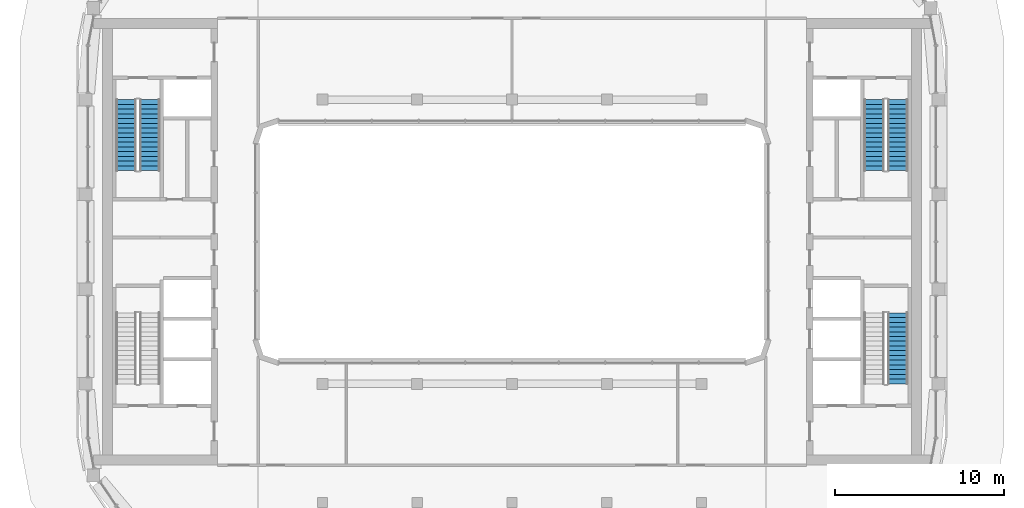
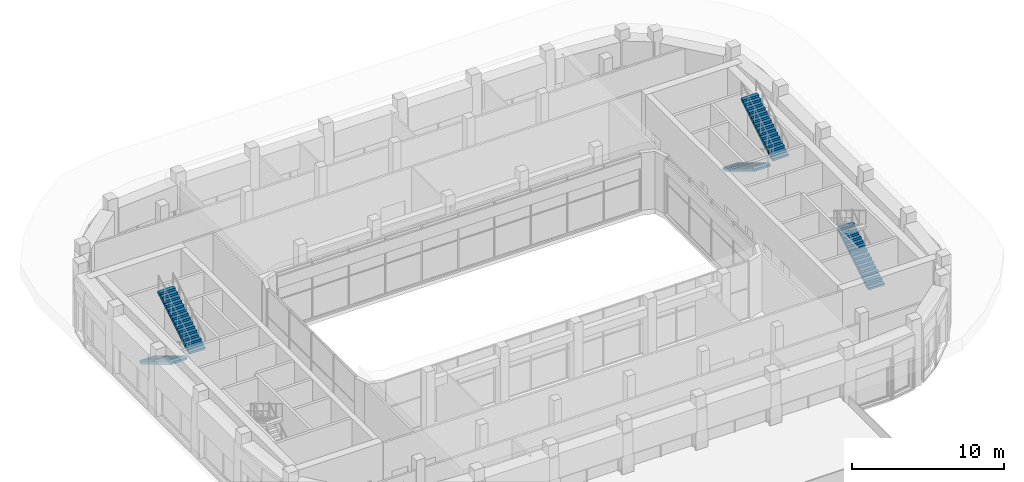
# One storey, part 16 of 23: 5 stair flights, 3 elements without a shape of their own.
"""IFC4 building model written with IfcOpenShell, lengths in metres."""

from ifc_helpers import new_model, si_unit, direction, frame, origin, place, context, subcontext, project, spatial, polyline, outline, extrude, material, type_object, element, aggregate, save


model = new_model("IFC4")

# Units and contexts
model_context = context("Model", 3, precision=1e-05, world=origin(), true_north=direction((0.0, 1.0)))
body_context = subcontext(model_context, "Body", "Model", "MODEL_VIEW")
ifc_project = project(units=[si_unit("LENGTHUNIT", "METRE"), si_unit("AREAUNIT", "SQUARE_METRE"), si_unit("VOLUMEUNIT", "CUBIC_METRE"), si_unit("PLANEANGLEUNIT", "RADIAN"), si_unit("MASSUNIT", "GRAM", prefix="KILO")], contexts=[model_context])

# Site, building, storey
site_placement = place(None, origin())
site = spatial("IfcSite", under=ifc_project, at=site_placement, CompositionType="ELEMENT")
building_placement = place(site_placement, origin())
building = spatial("IfcBuilding", under=site, at=building_placement, Name="Kiln Ring Residences", CompositionType="ELEMENT")
storey_placement = place(building_placement, frame((0.0, 0.0, 294.5)))
storey = spatial("IfcBuildingStorey", under=building, at=storey_placement, Name="L76", CompositionType="ELEMENT", Elevation=294.5)

# Stair, stair flights
ifc_material_1 = material(Name="Concrete C40/50", Category="concrete")
stair_type = type_object("IfcStairType", Name="CORE-STAIR", PredefinedType="HALF_TURN_STAIR", material=ifc_material_1)
placement = place(storey_placement, origin())
stair_1 = element("IfcStair", 1, at=placement, inside=storey, type_object=stair_type, Name="L76 stair W-STN", PredefinedType="HALF_TURN_STAIR")
ifc_material_2 = material(Name="Concrete C40/50", Category="concrete")
stair_flight_type = type_object("IfcStairFlightType", Name="CORE-STAIR-FLIGHT", PredefinedType="STRAIGHT", material=ifc_material_2)
stair_flight_1_placement = place(storey_placement, frame((-22.800048828125, 8.39990234375, 0.0), z_axis=(0.0, 0.0, 1.0), x_axis=(0.0, -1.0, 0.0)))
stair_flight_1 = element("IfcStairFlight", 2, at=stair_flight_1_placement, type_object=stair_flight_type, Name="W-STN flight 1", NumberOfRisers=16, NumberOfTreads=15, PredefinedType="STRAIGHT", RiserHeight=0.16875, TreadLength=0.28, context=body_context, shape_type="SweptSolid", body=[
    extrude(outline(polyline([(0.0, 0.0), (0.0, 0.168701171875), (0.280029296875, 0.168701171875), (0.280029296875, 0.33740234375), (0.56005859375, 0.33740234375), (0.56005859375, 0.50634765625), (0.840087890625, 0.50634765625), (0.840087890625, 0.675048828125), (1.1201171875, 0.675048828125), (1.1201171875, 0.84375), (1.39990234375, 0.84375), (1.39990234375, 1.012451171875), (1.679931640625, 1.012451171875), (1.679931640625, 1.18115234375), (1.9599609375, 1.18115234375), (1.9599609375, 1.35009765625), (2.239990234375, 1.35009765625), (2.239990234375, 1.518798828125), (2.52001953125, 1.518798828125), (2.52001953125, 1.6875), (2.800048828125, 1.6875), (2.800048828125, 1.856201171875), (3.080078125, 1.856201171875), (3.080078125, 2.02490234375), (3.360107421875, 2.02490234375), (3.360107421875, 2.19384765625), (3.639892578125, 2.19384765625), (3.639892578125, 2.362548828125), (3.919921875, 2.362548828125), (3.919921875, 2.53125), (4.199951171875, 2.53125), (4.199951171875, 2.699951171875), (4.199951171875, 2.356201171875), (0.29052734375, 0.0), (0.0, 0.0)])), frame((0.0, 0.60009765625, 0.0), z_axis=(0.0, -1.0, 0.0), x_axis=(1.0, 0.0, 0.0)), (0.0, 0.0, 1.0), 1.199951171875),
])
stair_flight_2_placement = place(storey_placement, frame((-21.39990234375, 4.199951171875, 2.699951171875), z_axis=(0.0, 0.0, 1.0), x_axis=(0.0, 1.0, 0.0)))
stair_flight_2 = element("IfcStairFlight", 3, at=stair_flight_2_placement, type_object=stair_flight_type, Name="W-STN flight 2", NumberOfRisers=16, NumberOfTreads=15, PredefinedType="STRAIGHT", RiserHeight=0.16875, TreadLength=0.28, context=body_context, shape_type="SweptSolid", body=[
    extrude(outline(polyline([(0.0, 0.0), (0.0, 0.168701171875), (0.280029296875, 0.168701171875), (0.280029296875, 0.33740234375), (0.56005859375, 0.33740234375), (0.56005859375, 0.50634765625), (0.840087890625, 0.50634765625), (0.840087890625, 0.675048828125), (1.1201171875, 0.675048828125), (1.1201171875, 0.84375), (1.39990234375, 0.84375), (1.39990234375, 1.012451171875), (1.679931640625, 1.012451171875), (1.679931640625, 1.18115234375), (1.9599609375, 1.18115234375), (1.9599609375, 1.35009765625), (2.239990234375, 1.35009765625), (2.239990234375, 1.518798828125), (2.52001953125, 1.518798828125), (2.52001953125, 1.6875), (2.800048828125, 1.6875), (2.800048828125, 1.856201171875), (3.080078125, 1.856201171875), (3.080078125, 2.02490234375), (3.360107421875, 2.02490234375), (3.360107421875, 2.19384765625), (3.639892578125, 2.19384765625), (3.639892578125, 2.362548828125), (3.919921875, 2.362548828125), (3.919921875, 2.53125), (4.199951171875, 2.53125), (4.199951171875, 2.699951171875), (4.199951171875, 2.356201171875), (0.29052734375, 0.0), (0.0, 0.0)])), frame((0.0, 0.60009765625, 0.0), z_axis=(0.0, -1.0, 0.0), x_axis=(1.0, 0.0, 0.0)), (0.0, 0.0, 1.0), 1.199951171875),
])
aggregate(stair_1, [stair_flight_1, stair_flight_2])

stair_2 = element("IfcStair", 4, at=placement, inside=storey, type_object=stair_type, Name="L76 stair E-STN", PredefinedType="HALF_TURN_STAIR")
stair_flight_3_placement = place(storey_placement, frame((21.39990234375, 8.39990234375, 0.0), z_axis=(0.0, 0.0, 1.0), x_axis=(0.0, -1.0, 0.0)))
stair_flight_3 = element("IfcStairFlight", 5, at=stair_flight_3_placement, type_object=stair_flight_type, Name="E-STN flight 1", NumberOfRisers=16, NumberOfTreads=15, PredefinedType="STRAIGHT", RiserHeight=0.16875, TreadLength=0.28, context=body_context, shape_type="SweptSolid", body=[
    extrude(outline(polyline([(0.0, 0.0), (0.0, 0.168701171875), (0.280029296875, 0.168701171875), (0.280029296875, 0.33740234375), (0.56005859375, 0.33740234375), (0.56005859375, 0.50634765625), (0.840087890625, 0.50634765625), (0.840087890625, 0.675048828125), (1.1201171875, 0.675048828125), (1.1201171875, 0.84375), (1.39990234375, 0.84375), (1.39990234375, 1.012451171875), (1.679931640625, 1.012451171875), (1.679931640625, 1.18115234375), (1.9599609375, 1.18115234375), (1.9599609375, 1.35009765625), (2.239990234375, 1.35009765625), (2.239990234375, 1.518798828125), (2.52001953125, 1.518798828125), (2.52001953125, 1.6875), (2.800048828125, 1.6875), (2.800048828125, 1.856201171875), (3.080078125, 1.856201171875), (3.080078125, 2.02490234375), (3.360107421875, 2.02490234375), (3.360107421875, 2.19384765625), (3.639892578125, 2.19384765625), (3.639892578125, 2.362548828125), (3.919921875, 2.362548828125), (3.919921875, 2.53125), (4.199951171875, 2.53125), (4.199951171875, 2.699951171875), (4.199951171875, 2.356201171875), (0.29052734375, 0.0), (0.0, 0.0)])), frame((0.0, 0.60009765625, 0.0), z_axis=(0.0, -1.0, 0.0), x_axis=(1.0, 0.0, 0.0)), (0.0, 0.0, 1.0), 1.199951171875),
])
stair_flight_4_placement = place(storey_placement, frame((22.800048828125, 4.199951171875, 2.699951171875), z_axis=(0.0, 0.0, 1.0), x_axis=(0.0, 1.0, 0.0)))
stair_flight_4 = element("IfcStairFlight", 6, at=stair_flight_4_placement, type_object=stair_flight_type, Name="E-STN flight 2", NumberOfRisers=16, NumberOfTreads=15, PredefinedType="STRAIGHT", RiserHeight=0.16875, TreadLength=0.28, context=body_context, shape_type="SweptSolid", body=[
    extrude(outline(polyline([(0.0, 0.0), (0.0, 0.168701171875), (0.280029296875, 0.168701171875), (0.280029296875, 0.33740234375), (0.56005859375, 0.33740234375), (0.56005859375, 0.50634765625), (0.840087890625, 0.50634765625), (0.840087890625, 0.675048828125), (1.1201171875, 0.675048828125), (1.1201171875, 0.84375), (1.39990234375, 0.84375), (1.39990234375, 1.012451171875), (1.679931640625, 1.012451171875), (1.679931640625, 1.18115234375), (1.9599609375, 1.18115234375), (1.9599609375, 1.35009765625), (2.239990234375, 1.35009765625), (2.239990234375, 1.518798828125), (2.52001953125, 1.518798828125), (2.52001953125, 1.6875), (2.800048828125, 1.6875), (2.800048828125, 1.856201171875), (3.080078125, 1.856201171875), (3.080078125, 2.02490234375), (3.360107421875, 2.02490234375), (3.360107421875, 2.19384765625), (3.639892578125, 2.19384765625), (3.639892578125, 2.362548828125), (3.919921875, 2.362548828125), (3.919921875, 2.53125), (4.199951171875, 2.53125), (4.199951171875, 2.699951171875), (4.199951171875, 2.356201171875), (0.29052734375, 0.0), (0.0, 0.0)])), frame((0.0, 0.60009765625, 0.0), z_axis=(0.0, -1.0, 0.0), x_axis=(1.0, 0.0, 0.0)), (0.0, 0.0, 1.0), 1.199951171875),
])
aggregate(stair_2, [stair_flight_3, stair_flight_4])

# Stair, stair flight
stair_3 = element("IfcStair", 7, at=placement, inside=storey, type_object=stair_type, Name="L76 stair E-STS", PredefinedType="HALF_TURN_STAIR")
stair_flight_5_placement = place(storey_placement, frame((22.800048828125, -8.39990234375, 0.0), z_axis=(0.0, 0.0, 1.0), x_axis=(0.0, 1.0, 0.0)))
stair_flight_5 = element("IfcStairFlight", 8, at=stair_flight_5_placement, type_object=stair_flight_type, Name="E-STS flight 1", NumberOfRisers=16, NumberOfTreads=15, PredefinedType="STRAIGHT", RiserHeight=0.16875, TreadLength=0.28, context=body_context, shape_type="SweptSolid", body=[
    extrude(outline(polyline([(0.0, 0.0), (0.0, 0.168701171875), (0.280029296875, 0.168701171875), (0.280029296875, 0.33740234375), (0.56005859375, 0.33740234375), (0.56005859375, 0.50634765625), (0.840087890625, 0.50634765625), (0.840087890625, 0.675048828125), (1.1201171875, 0.675048828125), (1.1201171875, 0.84375), (1.39990234375, 0.84375), (1.39990234375, 1.012451171875), (1.679931640625, 1.012451171875), (1.679931640625, 1.18115234375), (1.9599609375, 1.18115234375), (1.9599609375, 1.35009765625), (2.239990234375, 1.35009765625), (2.239990234375, 1.518798828125), (2.52001953125, 1.518798828125), (2.52001953125, 1.6875), (2.800048828125, 1.6875), (2.800048828125, 1.856201171875), (3.080078125, 1.856201171875), (3.080078125, 2.02490234375), (3.360107421875, 2.02490234375), (3.360107421875, 2.19384765625), (3.639892578125, 2.19384765625), (3.639892578125, 2.362548828125), (3.919921875, 2.362548828125), (3.919921875, 2.53125), (4.199951171875, 2.53125), (4.199951171875, 2.699951171875), (4.199951171875, 2.356201171875), (0.29052734375, 0.0), (0.0, 0.0)])), frame((0.0, 0.60009765625, 0.0), z_axis=(0.0, -1.0, 0.0), x_axis=(1.0, 0.0, 0.0)), (0.0, 0.0, 1.0), 1.199951171875),
])
aggregate(stair_3, [stair_flight_5])

save(model, "model.ifc")
